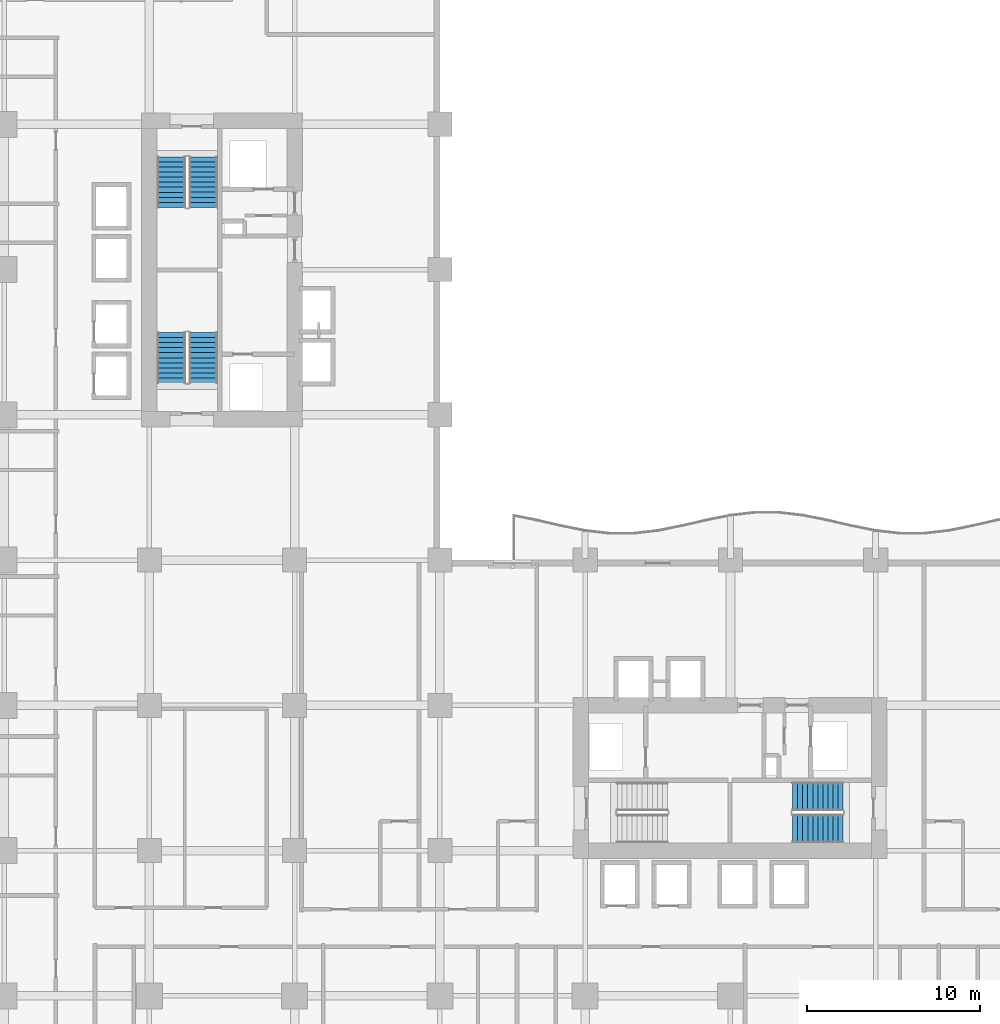
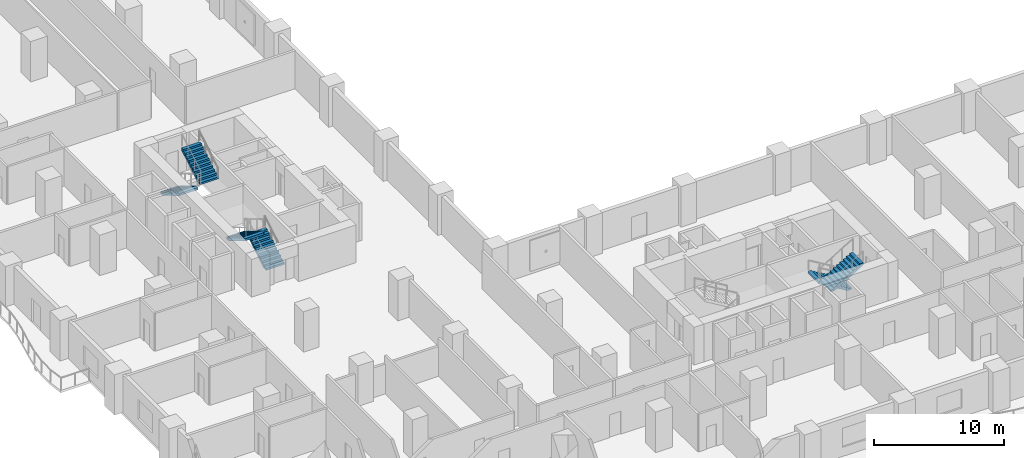
# One storey, part 14 of 22: 6 stair flights, 3 elements without a shape of their own.
"""IFC4 building model written with IfcOpenShell, lengths in metres."""

from ifc_helpers import new_model, si_unit, direction, frame, origin, place, context, subcontext, project, spatial, polyline, outline, extrude, material, type_object, element, aggregate, save


model = new_model("IFC4")

# Units and contexts
model_context = context("Model", 3, precision=1e-05, world=origin(), true_north=direction((0.0, 1.0)))
body_context = subcontext(model_context, "Body", "Model", "MODEL_VIEW")
ifc_project = project(units=[si_unit("LENGTHUNIT", "METRE"), si_unit("AREAUNIT", "SQUARE_METRE"), si_unit("VOLUMEUNIT", "CUBIC_METRE"), si_unit("PLANEANGLEUNIT", "RADIAN"), si_unit("MASSUNIT", "GRAM", prefix="KILO")], contexts=[model_context])

# Site, building, storey
site_placement = place(None, origin())
site = spatial("IfcSite", under=ifc_project, at=site_placement, CompositionType="ELEMENT")
building_placement = place(site_placement, origin())
building = spatial("IfcBuilding", under=site, at=building_placement, Name="Koriwani Terraces Tower", CompositionType="ELEMENT")
storey_placement = place(building_placement, frame((0.0, 0.0, 43.39990234375)))
storey = spatial("IfcBuildingStorey", under=building, at=storey_placement, Name="L09", CompositionType="ELEMENT", Elevation=43.39990234375)

# Stair, stair flights
ifc_material = material(Name="Concrete C40/50", Category="concrete")
stair_type = type_object("IfcStairType", Name="STAIR_CORE_DOGLEG_1650", PredefinedType="TWO_STRAIGHT_RUN_STAIR", material=ifc_material)
stair_1_placement = place(storey_placement, origin())
stair_1 = element("IfcStair", 1, at=stair_1_placement, inside=storey, type_object=stair_type, Name="L09 West Core Exit Stair 1", PredefinedType="HALF_TURN_STAIR")
stair_flight_type = type_object("IfcStairFlightType", Name="STAIR_FLIGHT_RC_1650", PredefinedType="STRAIGHT", material=ifc_material)
stair_flight_1_placement = place(storey_placement, frame((19.925048828125, 43.85009765625, 0.0), z_axis=(0.0, 0.0, 1.0), x_axis=(0.0, 1.0, 0.0)))
stair_flight_1 = element("IfcStairFlight", 2, at=stair_flight_1_placement, type_object=stair_flight_type, Name="ST-W1 flight 1", NumberOfRisers=11, NumberOfTreads=10, PredefinedType="STRAIGHT", RiserHeight=0.172727273, TreadLength=0.29, context=body_context, shape_type="SweptSolid", body=[
    extrude(outline(polyline([(0.0, 0.0), (0.0, 0.172607421875), (0.2900390625, 0.172607421875), (0.2900390625, 0.345458984375), (0.580078125, 0.345458984375), (0.580078125, 0.51806640625), (0.8701171875, 0.51806640625), (0.8701171875, 0.69091796875), (1.159912109375, 0.69091796875), (1.159912109375, 0.863525390625), (1.449951171875, 0.863525390625), (1.449951171875, 1.036376953125), (1.739990234375, 1.036376953125), (1.739990234375, 1.208984375), (2.030029296875, 1.208984375), (2.030029296875, 1.3818359375), (2.320068359375, 1.3818359375), (2.320068359375, 1.554443359375), (2.610107421875, 1.554443359375), (2.610107421875, 1.727294921875), (2.89990234375, 1.727294921875), (2.89990234375, 1.89990234375), (2.89990234375, 1.517822265625), (0.3515625, 0.0), (0.0, 0.0)])), frame((0.0, 0.824951171875, 0.0), z_axis=(0.0, -1.0, 0.0), x_axis=(1.0, 0.0, 0.0)), (0.0, 0.0, 1.0), 1.64990234375),
])
stair_flight_2_placement = place(storey_placement, frame((18.074951171875, 46.75, 1.900146484375), z_axis=(0.0, 0.0, 1.0), x_axis=(0.0, -1.0, 0.0)))
stair_flight_2 = element("IfcStairFlight", 3, at=stair_flight_2_placement, type_object=stair_flight_type, Name="ST-W1 flight 2", NumberOfRisers=11, NumberOfTreads=10, PredefinedType="STRAIGHT", RiserHeight=0.172727273, TreadLength=0.29, context=body_context, shape_type="SweptSolid", body=[
    extrude(outline(polyline([(0.0, 0.0), (0.0, 0.172607421875), (0.2900390625, 0.172607421875), (0.2900390625, 0.345458984375), (0.580078125, 0.345458984375), (0.580078125, 0.51806640625), (0.8701171875, 0.51806640625), (0.8701171875, 0.69091796875), (1.159912109375, 0.69091796875), (1.159912109375, 0.863525390625), (1.449951171875, 0.863525390625), (1.449951171875, 1.036376953125), (1.739990234375, 1.036376953125), (1.739990234375, 1.208984375), (2.030029296875, 1.208984375), (2.030029296875, 1.3818359375), (2.320068359375, 1.3818359375), (2.320068359375, 1.554443359375), (2.610107421875, 1.554443359375), (2.610107421875, 1.727294921875), (2.89990234375, 1.727294921875), (2.89990234375, 1.89990234375), (2.89990234375, 1.517822265625), (0.3515625, 0.0), (0.0, 0.0)])), frame((0.0, 0.824951171875, 0.0), z_axis=(0.0, -1.0, 0.0), x_axis=(1.0, 0.0, 0.0)), (0.0, 0.0, 1.0), 1.64990234375),
])
aggregate(stair_1, [stair_flight_1, stair_flight_2])

stair_2_placement = place(storey_placement, origin())
stair_2 = element("IfcStair", 4, at=stair_2_placement, inside=storey, type_object=stair_type, Name="L09 West Core Exit Stair 2", PredefinedType="HALF_TURN_STAIR")
stair_flight_3_placement = place(storey_placement, frame((18.074951171875, 56.89990234375, 0.0), z_axis=(0.0, 0.0, 1.0), x_axis=(0.0, -1.0, 0.0)))
stair_flight_3 = element("IfcStairFlight", 5, at=stair_flight_3_placement, type_object=stair_flight_type, Name="ST-W2 flight 1", NumberOfRisers=11, NumberOfTreads=10, PredefinedType="STRAIGHT", RiserHeight=0.172727273, TreadLength=0.29, context=body_context, shape_type="SweptSolid", body=[
    extrude(outline(polyline([(0.0, 0.0), (0.0, 0.172607421875), (0.2900390625, 0.172607421875), (0.2900390625, 0.345458984375), (0.580078125, 0.345458984375), (0.580078125, 0.51806640625), (0.8701171875, 0.51806640625), (0.8701171875, 0.69091796875), (1.159912109375, 0.69091796875), (1.159912109375, 0.863525390625), (1.449951171875, 0.863525390625), (1.449951171875, 1.036376953125), (1.739990234375, 1.036376953125), (1.739990234375, 1.208984375), (2.030029296875, 1.208984375), (2.030029296875, 1.3818359375), (2.320068359375, 1.3818359375), (2.320068359375, 1.554443359375), (2.610107421875, 1.554443359375), (2.610107421875, 1.727294921875), (2.89990234375, 1.727294921875), (2.89990234375, 1.89990234375), (2.89990234375, 1.517822265625), (0.3515625, 0.0), (0.0, 0.0)])), frame((0.0, 0.824951171875, 0.0), z_axis=(0.0, -1.0, 0.0), x_axis=(1.0, 0.0, 0.0)), (0.0, 0.0, 1.0), 1.64990234375),
])
stair_flight_4_placement = place(storey_placement, frame((19.925048828125, 54.0, 1.900146484375), z_axis=(0.0, 0.0, 1.0), x_axis=(0.0, 1.0, 0.0)))
stair_flight_4 = element("IfcStairFlight", 6, at=stair_flight_4_placement, type_object=stair_flight_type, Name="ST-W2 flight 2", NumberOfRisers=11, NumberOfTreads=10, PredefinedType="STRAIGHT", RiserHeight=0.172727273, TreadLength=0.29, context=body_context, shape_type="SweptSolid", body=[
    extrude(outline(polyline([(0.0, 0.0), (0.0, 0.172607421875), (0.2900390625, 0.172607421875), (0.2900390625, 0.345458984375), (0.580078125, 0.345458984375), (0.580078125, 0.51806640625), (0.8701171875, 0.51806640625), (0.8701171875, 0.69091796875), (1.159912109375, 0.69091796875), (1.159912109375, 0.863525390625), (1.449951171875, 0.863525390625), (1.449951171875, 1.036376953125), (1.739990234375, 1.036376953125), (1.739990234375, 1.208984375), (2.030029296875, 1.208984375), (2.030029296875, 1.3818359375), (2.320068359375, 1.3818359375), (2.320068359375, 1.554443359375), (2.610107421875, 1.554443359375), (2.610107421875, 1.727294921875), (2.89990234375, 1.727294921875), (2.89990234375, 1.89990234375), (2.89990234375, 1.517822265625), (0.3515625, 0.0), (0.0, 0.0)])), frame((0.0, 0.824951171875, 0.0), z_axis=(0.0, -1.0, 0.0), x_axis=(1.0, 0.0, 0.0)), (0.0, 0.0, 1.0), 1.64990234375),
])
aggregate(stair_2, [stair_flight_3, stair_flight_4])

stair_3_placement = place(storey_placement, origin())
stair_3 = element("IfcStair", 7, at=stair_3_placement, inside=storey, type_object=stair_type, Name="L09 East Core Exit Stair 2", PredefinedType="HALF_TURN_STAIR")
stair_flight_5_placement = place(storey_placement, frame((56.89990234375, 19.925048828125, 0.0), z_axis=(0.0, 0.0, 1.0), x_axis=(-1.0, 0.0, 0.0)))
stair_flight_5 = element("IfcStairFlight", 8, at=stair_flight_5_placement, type_object=stair_flight_type, Name="ST-E2 flight 1", NumberOfRisers=11, NumberOfTreads=10, PredefinedType="STRAIGHT", RiserHeight=0.172727273, TreadLength=0.29, context=body_context, shape_type="SweptSolid", body=[
    extrude(outline(polyline([(0.0, 0.0), (0.0, 0.172607421875), (0.2900390625, 0.172607421875), (0.2900390625, 0.345458984375), (0.580078125, 0.345458984375), (0.580078125, 0.51806640625), (0.8701171875, 0.51806640625), (0.8701171875, 0.69091796875), (1.159912109375, 0.69091796875), (1.159912109375, 0.863525390625), (1.449951171875, 0.863525390625), (1.449951171875, 1.036376953125), (1.739990234375, 1.036376953125), (1.739990234375, 1.208984375), (2.030029296875, 1.208984375), (2.030029296875, 1.3818359375), (2.320068359375, 1.3818359375), (2.320068359375, 1.554443359375), (2.610107421875, 1.554443359375), (2.610107421875, 1.727294921875), (2.89990234375, 1.727294921875), (2.89990234375, 1.89990234375), (2.89990234375, 1.517822265625), (0.3515625, 0.0), (0.0, 0.0)])), frame((0.0, 0.824951171875, 0.0), z_axis=(0.0, -1.0, 0.0), x_axis=(1.0, 0.0, 0.0)), (0.0, 0.0, 1.0), 1.64990234375),
])
stair_flight_6_placement = place(storey_placement, frame((54.0, 18.074951171875, 1.900146484375), z_axis=(0.0, 0.0, 1.0), x_axis=(1.0, 0.0, 0.0)))
stair_flight_6 = element("IfcStairFlight", 9, at=stair_flight_6_placement, type_object=stair_flight_type, Name="ST-E2 flight 2", NumberOfRisers=11, NumberOfTreads=10, PredefinedType="STRAIGHT", RiserHeight=0.172727273, TreadLength=0.29, context=body_context, shape_type="SweptSolid", body=[
    extrude(outline(polyline([(0.0, 0.0), (0.0, 0.172607421875), (0.2900390625, 0.172607421875), (0.2900390625, 0.345458984375), (0.580078125, 0.345458984375), (0.580078125, 0.51806640625), (0.8701171875, 0.51806640625), (0.8701171875, 0.69091796875), (1.159912109375, 0.69091796875), (1.159912109375, 0.863525390625), (1.449951171875, 0.863525390625), (1.449951171875, 1.036376953125), (1.739990234375, 1.036376953125), (1.739990234375, 1.208984375), (2.030029296875, 1.208984375), (2.030029296875, 1.3818359375), (2.320068359375, 1.3818359375), (2.320068359375, 1.554443359375), (2.610107421875, 1.554443359375), (2.610107421875, 1.727294921875), (2.89990234375, 1.727294921875), (2.89990234375, 1.89990234375), (2.89990234375, 1.517822265625), (0.3515625, 0.0), (0.0, 0.0)])), frame((0.0, 0.824951171875, 0.0), z_axis=(0.0, -1.0, 0.0), x_axis=(1.0, 0.0, 0.0)), (0.0, 0.0, 1.0), 1.64990234375),
])
aggregate(stair_3, [stair_flight_5, stair_flight_6])

save(model, "model.ifc")
